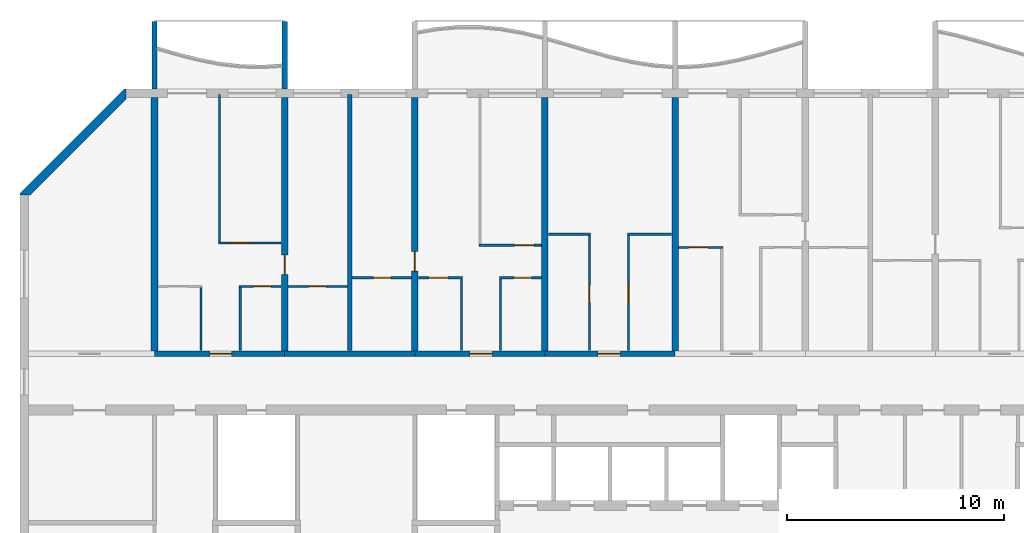
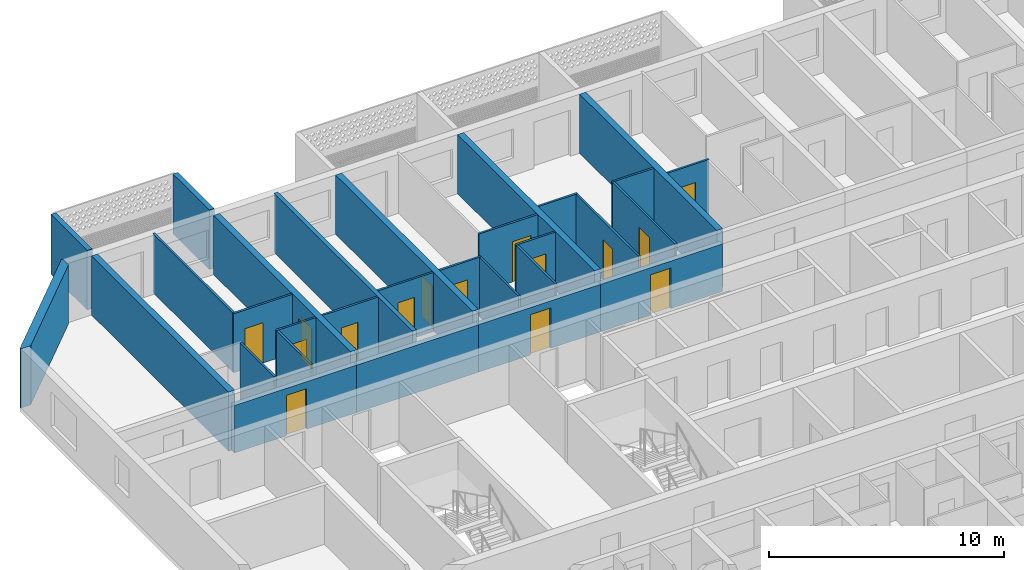
# One storey, part 9 of 33: 30 walls, 15 doors, 15 openings.
"""IFC4 building model written with IfcOpenShell, lengths in metres."""

from ifc_helpers import new_model, si_unit, direction, frame, frame_2d, origin, place, context, subcontext, project, spatial, polyline, rectangle, outline, extrude, source, transform, mapped, material, layer, layer_set, type_object, element, fill, save


model = new_model("IFC4")

# Units and contexts
model_context = context("Model", 3, precision=1e-05, world=origin(), true_north=direction((0.0, 1.0)))
body_context = subcontext(model_context, "Body", "Model", "MODEL_VIEW")
ifc_project = project(units=[si_unit("LENGTHUNIT", "METRE"), si_unit("AREAUNIT", "SQUARE_METRE"), si_unit("VOLUMEUNIT", "CUBIC_METRE"), si_unit("PLANEANGLEUNIT", "RADIAN"), si_unit("MASSUNIT", "GRAM", prefix="KILO")], contexts=[model_context])

# Site, building, storey
site_placement = place(None, origin())
site = spatial("IfcSite", under=ifc_project, at=site_placement, CompositionType="ELEMENT")
building_placement = place(site_placement, origin())
building = spatial("IfcBuilding", under=site, at=building_placement, Name="Poui Terraces", CompositionType="ELEMENT")
storey_placement = place(building_placement, frame((0.0, 0.0, 132.300048828125)))
storey = spatial("IfcBuildingStorey", under=building, at=storey_placement, Name="L36", CompositionType="ELEMENT", Elevation=132.300048828125)

# Wall, opening, door
ifc_material_1 = material(Name="Concrete 65 MPa", Category="concrete")
ifc_layer_1 = layer(ifc_material_1, 0.25)
ifc_layer_set_1 = layer_set([ifc_layer_1], Name="Concrete 65 MPa")
wall_type_1 = type_object("IfcWallType", Name="CORRIDOR WALL 250 65MPa", PredefinedType="SHEAR", material=ifc_layer_set_1)
wall_1_placement = place(storey_placement, frame((18.0, 30.39990234375, 0.0), z_axis=(0.0, 0.0, 1.0), x_axis=(1.0, 0.0, 0.0)))
wall_1 = element("IfcWall", 1, at=wall_1_placement, inside=storey, type_object=wall_type_1, Name="CORRIDOR WALL LINE E BAY 2", PredefinedType="SHEAR", context=body_context, shape_type="SweptSolid", body=[
    extrude(rectangle(XDim=6.0, YDim=0.25, at=frame_2d((3.0, 0.0))), origin(), (0.0, 0.0, 1.0), 2.469970703125),
])
opening_1_placement = place(wall_1_placement, frame((2.550048828125, 0.0, 0.0)))
opening_1 = element("IfcOpeningElement", 2, at=opening_1_placement, cuts=wall_1, Name="Opening FD30S", PredefinedType="OPENING", context=body_context, shape_type="SweptSolid", body=[
    extrude(rectangle(XDim=1.0, YDim=2.10009765625, at=frame_2d((0.5, 1.050048828125))), frame((0.0, 0.135009765625, 0.0), z_axis=(0.0, -1.0, 0.0), x_axis=(1.0, 0.0, 0.0)), (0.0, 0.0, 1.0), 0.27001953125),
])
ifc_material_2 = material(Name="Steel fire door", Category="steel")
door_type_1 = type_object("IfcDoorType", Name="FLAT ENTRANCE DOOR 1000 X 2100", OperationType="NOTDEFINED", PredefinedType="DOOR", material=ifc_material_2)
door_1_placement = place(opening_1_placement, origin())
door_1 = element("IfcDoor", 3, at=door_1_placement, inside=storey, type_object=door_type_1, Name="FLAT ENTRANCE DOOR 034", OperationType="SINGLE_SWING_RIGHT", OverallHeight=2.10009765625, OverallWidth=1.0, PredefinedType="DOOR", context=body_context, shape_type="SweptSolid", body=[
    extrude(rectangle(XDim=1.0, YDim=2.10009765625, at=frame_2d((0.5, 1.050048828125))), frame((0.0, 0.02490234375, 0.0), z_axis=(0.0, -1.0, 0.0), x_axis=(1.0, 0.0, 0.0)), (0.0, 0.0, 1.0), 0.050048828125),
])
fill(opening_1, door_1)

# Wall
wall_2_placement = place(storey_placement, frame((24.0, 30.39990234375, 0.0), z_axis=(0.0, 0.0, 1.0), x_axis=(1.0, 0.0, 0.0)))
element("IfcWall", 4, at=wall_2_placement, inside=storey, type_object=wall_type_1, Name="CORRIDOR WALL LINE E BAY 3", PredefinedType="SHEAR", context=body_context, shape_type="SweptSolid", body=[
    extrude(rectangle(XDim=6.0, YDim=0.25, at=frame_2d((3.0, 0.0))), origin(), (0.0, 0.0, 1.0), 2.469970703125),
])

# Wall, opening, door
wall_3_placement = place(storey_placement, frame((30.0, 30.39990234375, 0.0), z_axis=(0.0, 0.0, 1.0), x_axis=(1.0, 0.0, 0.0)))
wall_3 = element("IfcWall", 5, at=wall_3_placement, inside=storey, type_object=wall_type_1, Name="CORRIDOR WALL LINE E BAY 4", PredefinedType="SHEAR", context=body_context, shape_type="SweptSolid", body=[
    extrude(rectangle(XDim=6.0, YDim=0.25, at=frame_2d((3.0, 0.0))), origin(), (0.0, 0.0, 1.0), 2.469970703125),
])
opening_2_placement = place(wall_3_placement, frame((2.550048828125, 0.0, 0.0)))
opening_2 = element("IfcOpeningElement", 6, at=opening_2_placement, cuts=wall_3, Name="Opening FD30S", PredefinedType="OPENING", context=body_context, shape_type="SweptSolid", body=[
    extrude(rectangle(XDim=1.0, YDim=2.10009765625, at=frame_2d((0.5, 1.050048828125))), frame((0.0, 0.135009765625, 0.0), z_axis=(0.0, -1.0, 0.0), x_axis=(1.0, 0.0, 0.0)), (0.0, 0.0, 1.0), 0.27001953125),
])
door_2_placement = place(opening_2_placement, origin())
door_2 = element("IfcDoor", 7, at=door_2_placement, inside=storey, type_object=door_type_1, Name="FLAT ENTRANCE DOOR 041", OperationType="SINGLE_SWING_RIGHT", OverallHeight=2.10009765625, OverallWidth=1.0, PredefinedType="DOOR", context=body_context, shape_type="SweptSolid", body=[
    extrude(rectangle(XDim=1.0, YDim=2.10009765625, at=frame_2d((0.5, 1.050048828125))), frame((0.0, 0.02490234375, 0.0), z_axis=(0.0, -1.0, 0.0), x_axis=(1.0, 0.0, 0.0)), (0.0, 0.0, 1.0), 0.050048828125),
])
fill(opening_2, door_2)

wall_4_placement = place(storey_placement, frame((36.0, 30.39990234375, 0.0), z_axis=(0.0, 0.0, 1.0), x_axis=(1.0, 0.0, 0.0)))
wall_4 = element("IfcWall", 8, at=wall_4_placement, inside=storey, type_object=wall_type_1, Name="CORRIDOR WALL LINE E BAY 5", PredefinedType="SHEAR", context=body_context, shape_type="SweptSolid", body=[
    extrude(rectangle(XDim=6.0, YDim=0.25, at=frame_2d((3.0, 0.0))), origin(), (0.0, 0.0, 1.0), 2.469970703125),
])
opening_3_placement = place(wall_4_placement, frame((2.449951171875, 0.0, 0.0)))
opening_3 = element("IfcOpeningElement", 9, at=opening_3_placement, cuts=wall_4, Name="Opening FD30S", PredefinedType="OPENING", context=body_context, shape_type="SweptSolid", body=[
    extrude(rectangle(XDim=1.0, YDim=2.10009765625, at=frame_2d((0.5, 1.050048828125))), frame((0.0, 0.135009765625, 0.0), z_axis=(0.0, -1.0, 0.0), x_axis=(1.0, 0.0, 0.0)), (0.0, 0.0, 1.0), 0.27001953125),
])
door_3_placement = place(opening_3_placement, origin())
door_3 = element("IfcDoor", 10, at=door_3_placement, inside=storey, type_object=door_type_1, Name="FLAT ENTRANCE DOOR 045", OperationType="SINGLE_SWING_LEFT", OverallHeight=2.10009765625, OverallWidth=1.0, PredefinedType="DOOR", context=body_context, shape_type="SweptSolid", body=[
    extrude(rectangle(XDim=1.0, YDim=2.10009765625, at=frame_2d((0.5, 1.050048828125))), frame((0.0, 0.02490234375, 0.0), z_axis=(0.0, -1.0, 0.0), x_axis=(1.0, 0.0, 0.0)), (0.0, 0.0, 1.0), 0.050048828125),
])
fill(opening_3, door_3)

# Wall
ifc_layer_2 = layer(ifc_material_1, 0.300048828125)
ifc_layer_set_2 = layer_set([ifc_layer_2], Name="Concrete 65 MPa")
wall_type_2 = type_object("IfcWallType", Name="CROSS WALL 300 65MPa", PredefinedType="SHEAR", material=ifc_layer_set_2)
wall_5_placement = place(storey_placement, frame((18.0, 30.52490234375, 0.0), z_axis=(0.0, 0.0, 1.0), x_axis=(0.0, 1.0, 0.0)))
element("IfcWall", 11, at=wall_5_placement, inside=storey, type_object=wall_type_2, Name="CROSS WALL LINE 4 NORTH", PredefinedType="SHEAR", context=body_context, shape_type="SweptSolid", body=[
    extrude(rectangle(XDim=11.675048828125, YDim=0.300048828125, at=frame_2d((5.83740234375, 0.0))), origin(), (0.0, 0.0, 1.0), 3.070068359375),
])

# Wall, opening, door
wall_6_placement = place(storey_placement, frame((24.0, 30.52490234375, 0.0), z_axis=(0.0, 0.0, 1.0), x_axis=(0.0, 1.0, 0.0)))
wall_6 = element("IfcWall", 12, at=wall_6_placement, inside=storey, type_object=wall_type_2, Name="CROSS WALL LINE 5 NORTH", PredefinedType="SHEAR", context=body_context, shape_type="SweptSolid", body=[
    extrude(rectangle(XDim=11.675048828125, YDim=0.300048828125, at=frame_2d((5.83740234375, 0.0))), origin(), (0.0, 0.0, 1.0), 3.070068359375),
])
opening_4_placement = place(wall_6_placement, frame((3.52490234375, 0.0, 0.0)))
opening_4 = element("IfcOpeningElement", 13, at=opening_4_placement, cuts=wall_6, Name="Opening D90", PredefinedType="OPENING", context=body_context, shape_type="SweptSolid", body=[
    extrude(rectangle(XDim=0.89990234375, YDim=2.10009765625, at=frame_2d((0.449951171875, 1.050048828125))), frame((0.0, 0.16015625, 0.0), z_axis=(0.0, -1.0, 0.0), x_axis=(1.0, 0.0, 0.0)), (0.0, 0.0, 1.0), 0.320068359375),
])
ifc_material_3 = material(Name="Solid core timber door", Category="wood")
door_type_2 = type_object("IfcDoorType", Name="INTERNAL DOOR 900 X 2100", OperationType="NOTDEFINED", PredefinedType="DOOR", material=ifc_material_3)
door_4_placement = place(opening_4_placement, frame((0.89990234375, 0.0, 0.0), z_axis=(0.0, 0.0, 1.0), x_axis=(-1.0, 0.0, 0.0)))
door_4 = element("IfcDoor", 14, at=door_4_placement, inside=storey, type_object=door_type_2, Name="INTERNAL DOOR 037", OperationType="SINGLE_SWING_RIGHT", OverallHeight=2.10009765625, OverallWidth=0.89990234375, PredefinedType="DOOR", context=body_context, shape_type="SweptSolid", body=[
    extrude(rectangle(XDim=0.89990234375, YDim=2.10009765625, at=frame_2d((0.449951171875, 1.050048828125))), frame((0.0, 0.02490234375, 0.0), z_axis=(0.0, -1.0, 0.0), x_axis=(1.0, 0.0, 0.0)), (0.0, 0.0, 1.0), 0.050048828125),
])
fill(opening_4, door_4)

wall_7_placement = place(storey_placement, frame((30.0, 30.52490234375, 0.0), z_axis=(0.0, 0.0, 1.0), x_axis=(0.0, 1.0, 0.0)))
wall_7 = element("IfcWall", 15, at=wall_7_placement, inside=storey, type_object=wall_type_2, Name="CROSS WALL LINE 6 NORTH", PredefinedType="SHEAR", context=body_context, shape_type="SweptSolid", body=[
    extrude(rectangle(XDim=11.675048828125, YDim=0.300048828125, at=frame_2d((5.83740234375, 0.0))), origin(), (0.0, 0.0, 1.0), 3.070068359375),
])
opening_5_placement = place(wall_7_placement, frame((3.675048828125, 0.0, 0.0)))
opening_5 = element("IfcOpeningElement", 16, at=opening_5_placement, cuts=wall_7, Name="Opening D90", PredefinedType="OPENING", context=body_context, shape_type="SweptSolid", body=[
    extrude(rectangle(XDim=0.89990234375, YDim=2.10009765625, at=frame_2d((0.449951171875, 1.050048828125))), frame((0.0, 0.16015625, 0.0), z_axis=(0.0, -1.0, 0.0), x_axis=(1.0, 0.0, 0.0)), (0.0, 0.0, 1.0), 0.320068359375),
])
door_5_placement = place(opening_5_placement, origin())
door_5 = element("IfcDoor", 17, at=door_5_placement, inside=storey, type_object=door_type_2, Name="INTERNAL DOOR 039", OperationType="SINGLE_SWING_LEFT", OverallHeight=2.10009765625, OverallWidth=0.89990234375, PredefinedType="DOOR", context=body_context, shape_type="SweptSolid", body=[
    extrude(rectangle(XDim=0.89990234375, YDim=2.10009765625, at=frame_2d((0.449951171875, 1.050048828125))), frame((0.0, 0.02490234375, 0.0), z_axis=(0.0, -1.0, 0.0), x_axis=(1.0, 0.0, 0.0)), (0.0, 0.0, 1.0), 0.050048828125),
])
fill(opening_5, door_5)

# Walls
for number, where, z_axis, x_axis, name in (
    (18, (36.0, 30.52490234375, 0.0), (0.0, 0.0, 1.0), (0.0, 1.0, 0.0), "CROSS WALL LINE 7 NORTH"),
    (19, (42.0, 30.52490234375, 0.0), (0.0, 0.0, 1.0), (0.0, 1.0, 0.0), "CROSS WALL LINE 8 NORTH"),
):
    element("IfcWall", number, at=place(storey_placement, frame(where, z_axis=z_axis, x_axis=x_axis)), inside=storey, type_object=wall_type_2, Name=name, PredefinedType="SHEAR", context=body_context, shape_type="SweptSolid", body=[
        extrude(rectangle(XDim=11.675048828125, YDim=0.300048828125, at=frame_2d((5.83740234375, 0.0))), origin(), (0.0, 0.0, 1.0), 3.070068359375),
    ])

# Wall, opening, door
ifc_material_4 = material(Name="Plasterboard partition")
ifc_layer_3 = layer(ifc_material_4, 0.10009765625)
ifc_layer_set_3 = layer_set([ifc_layer_3], Name="Plasterboard partition")
wall_type_3 = type_object("IfcWallType", Name="FLAT PARTITION 100", PredefinedType="PARTITIONING", material=ifc_layer_set_3)
wall_8_placement = place(storey_placement, frame((21.89990234375, 33.5, 0.0), z_axis=(0.0, 0.0, 1.0), x_axis=(1.0, 0.0, 0.0)))
wall_8 = element("IfcWall", 20, at=wall_8_placement, inside=storey, type_object=wall_type_3, Name="FLAT PARTITION 100", PredefinedType="PARTITIONING", context=body_context, shape_type="SweptSolid", body=[
    extrude(rectangle(XDim=1.940185546875, YDim=0.10009765625, at=frame_2d((0.97021484375, 0.0))), origin(), (0.0, 0.0, 1.0), 3.070068359375),
])
opening_6_placement = place(wall_8_placement, frame((0.675048828125, 0.0, 0.0)))
opening_6 = element("IfcOpeningElement", 21, at=opening_6_placement, cuts=wall_8, Name="Opening D80", PredefinedType="OPENING", context=body_context, shape_type="SweptSolid", body=[
    extrude(rectangle(XDim=0.800048828125, YDim=2.10009765625, at=frame_2d((0.39990234375, 1.050048828125))), frame((0.0, 0.06005859375, 0.0), z_axis=(0.0, -1.0, 0.0), x_axis=(1.0, 0.0, 0.0)), (0.0, 0.0, 1.0), 0.1201171875),
])
door_type_3 = type_object("IfcDoorType", Name="BATHROOM, LAUNDRY AND STORE DOOR 800 X 2100", OperationType="NOTDEFINED", PredefinedType="DOOR", material=ifc_material_3)
door_6_placement = place(opening_6_placement, frame((0.800048828125, 0.0, 0.0), z_axis=(0.0, 0.0, 1.0), x_axis=(-1.0, 0.0, 0.0)))
door_6 = element("IfcDoor", 22, at=door_6_placement, inside=storey, type_object=door_type_3, Name="BATHROOM, LAUNDRY AND STORE DOOR 036", OperationType="SINGLE_SWING_RIGHT", OverallHeight=2.10009765625, OverallWidth=0.800048828125, PredefinedType="DOOR", context=body_context, shape_type="SweptSolid", body=[
    extrude(rectangle(XDim=0.800048828125, YDim=2.10009765625, at=frame_2d((0.39990234375, 1.050048828125))), frame((0.0, 0.02490234375, 0.0), z_axis=(0.0, -1.0, 0.0), x_axis=(1.0, 0.0, 0.0)), (0.0, 0.0, 1.0), 0.050048828125),
])
fill(opening_6, door_6)

wall_9_placement = place(storey_placement, frame((24.159912109375, 33.5, 0.0), z_axis=(0.0, 0.0, 1.0), x_axis=(1.0, 0.0, 0.0)))
wall_9 = element("IfcWall", 23, at=wall_9_placement, inside=storey, type_object=wall_type_3, Name="FLAT PARTITION 100", PredefinedType="PARTITIONING", context=body_context, shape_type="SweptSolid", body=[
    extrude(rectangle(XDim=2.739990234375, YDim=0.10009765625, at=frame_2d((1.3701171875, 0.0))), origin(), (0.0, 0.0, 1.0), 3.070068359375),
])
opening_7_placement = place(wall_9_placement, frame((0.93994140625, 0.0, 0.0)))
opening_7 = element("IfcOpeningElement", 24, at=opening_7_placement, cuts=wall_9, Name="Opening D80", PredefinedType="OPENING", context=body_context, shape_type="SweptSolid", body=[
    extrude(rectangle(XDim=0.800048828125, YDim=2.10009765625, at=frame_2d((0.39990234375, 1.050048828125))), frame((0.0, 0.06005859375, 0.0), z_axis=(0.0, -1.0, 0.0), x_axis=(1.0, 0.0, 0.0)), (0.0, 0.0, 1.0), 0.1201171875),
])
door_7_placement = place(opening_7_placement, frame((0.800048828125, 0.0, 0.0), z_axis=(0.0, 0.0, 1.0), x_axis=(-1.0, 0.0, 0.0)))
door_7 = element("IfcDoor", 25, at=door_7_placement, inside=storey, type_object=door_type_3, Name="BATHROOM, LAUNDRY AND STORE DOOR 032", OperationType="SINGLE_SWING_LEFT", OverallHeight=2.10009765625, OverallWidth=0.800048828125, PredefinedType="DOOR", context=body_context, shape_type="SweptSolid", body=[
    extrude(rectangle(XDim=0.800048828125, YDim=2.10009765625, at=frame_2d((0.39990234375, 1.050048828125))), frame((0.0, 0.02490234375, 0.0), z_axis=(0.0, -1.0, 0.0), x_axis=(1.0, 0.0, 0.0)), (0.0, 0.0, 1.0), 0.050048828125),
])
fill(opening_7, door_7)

wall_10_placement = place(storey_placement, frame((27.10009765625, 33.89990234375, 0.0), z_axis=(0.0, 0.0, 1.0), x_axis=(1.0, 0.0, 0.0)))
wall_10 = element("IfcWall", 26, at=wall_10_placement, inside=storey, type_object=wall_type_3, Name="FLAT PARTITION 100", PredefinedType="PARTITIONING", context=body_context, shape_type="SweptSolid", body=[
    extrude(rectangle(XDim=2.739990234375, YDim=0.10009765625, at=frame_2d((1.3701171875, 0.0))), origin(), (0.0, 0.0, 1.0), 3.070068359375),
])
opening_8_placement = place(wall_10_placement, frame((1.0, 0.0, 0.0)))
opening_8 = element("IfcOpeningElement", 27, at=opening_8_placement, cuts=wall_10, Name="Opening D80", PredefinedType="OPENING", context=body_context, shape_type="SweptSolid", body=[
    extrude(rectangle(XDim=0.800048828125, YDim=2.10009765625, at=frame_2d((0.39990234375, 1.050048828125))), frame((0.0, 0.06005859375, 0.0), z_axis=(0.0, -1.0, 0.0), x_axis=(1.0, 0.0, 0.0)), (0.0, 0.0, 1.0), 0.1201171875),
])
door_8_placement = place(opening_8_placement, frame((0.800048828125, 0.0, 0.0), z_axis=(0.0, 0.0, 1.0), x_axis=(-1.0, 0.0, 0.0)))
door_8 = element("IfcDoor", 28, at=door_8_placement, inside=storey, type_object=door_type_3, Name="BATHROOM, LAUNDRY AND STORE DOOR 038", OperationType="SINGLE_SWING_RIGHT", OverallHeight=2.10009765625, OverallWidth=0.800048828125, PredefinedType="DOOR", context=body_context, shape_type="SweptSolid", body=[
    extrude(rectangle(XDim=0.800048828125, YDim=2.10009765625, at=frame_2d((0.39990234375, 1.050048828125))), frame((0.0, 0.02490234375, 0.0), z_axis=(0.0, -1.0, 0.0), x_axis=(1.0, 0.0, 0.0)), (0.0, 0.0, 1.0), 0.050048828125),
])
fill(opening_8, door_8)

wall_11_placement = place(storey_placement, frame((30.159912109375, 33.89990234375, 0.0), z_axis=(0.0, 0.0, 1.0), x_axis=(1.0, 0.0, 0.0)))
wall_11 = element("IfcWall", 29, at=wall_11_placement, inside=storey, type_object=wall_type_3, Name="FLAT PARTITION 100", PredefinedType="PARTITIONING", context=body_context, shape_type="SweptSolid", body=[
    extrude(rectangle(XDim=2.0400390625, YDim=0.10009765625, at=frame_2d((1.02001953125, 0.0))), origin(), (0.0, 0.0, 1.0), 3.070068359375),
])
opening_9_placement = place(wall_11_placement, frame((0.465087890625, 0.0, 0.0)))
opening_9 = element("IfcOpeningElement", 30, at=opening_9_placement, cuts=wall_11, Name="Opening D90", PredefinedType="OPENING", context=body_context, shape_type="SweptSolid", body=[
    extrude(rectangle(XDim=0.89990234375, YDim=2.10009765625, at=frame_2d((0.449951171875, 1.050048828125))), frame((0.0, 0.06005859375, 0.0), z_axis=(0.0, -1.0, 0.0), x_axis=(1.0, 0.0, 0.0)), (0.0, 0.0, 1.0), 0.1201171875),
])
door_9_placement = place(opening_9_placement, frame((0.89990234375, 0.0, 0.0), z_axis=(0.0, 0.0, 1.0), x_axis=(-1.0, 0.0, 0.0)))
door_9 = element("IfcDoor", 31, at=door_9_placement, inside=storey, type_object=door_type_2, Name="INTERNAL DOOR 040", OperationType="SINGLE_SWING_RIGHT", OverallHeight=2.10009765625, OverallWidth=0.89990234375, PredefinedType="DOOR", context=body_context, shape_type="SweptSolid", body=[
    extrude(rectangle(XDim=0.89990234375, YDim=2.10009765625, at=frame_2d((0.449951171875, 1.050048828125))), frame((0.0, 0.02490234375, 0.0), z_axis=(0.0, -1.0, 0.0), x_axis=(1.0, 0.0, 0.0)), (0.0, 0.0, 1.0), 0.050048828125),
])
fill(opening_9, door_9)

wall_12_placement = place(storey_placement, frame((33.89990234375, 33.89990234375, 0.0), z_axis=(0.0, 0.0, 1.0), x_axis=(1.0, 0.0, 0.0)))
wall_12 = element("IfcWall", 32, at=wall_12_placement, inside=storey, type_object=wall_type_3, Name="FLAT PARTITION 100", PredefinedType="PARTITIONING", context=body_context, shape_type="SweptSolid", body=[
    extrude(rectangle(XDim=1.940185546875, YDim=0.10009765625, at=frame_2d((0.97021484375, 0.0))), origin(), (0.0, 0.0, 1.0), 3.070068359375),
])
opening_10_placement = place(wall_12_placement, frame((0.675048828125, 0.0, 0.0)))
opening_10 = element("IfcOpeningElement", 33, at=opening_10_placement, cuts=wall_12, Name="Opening D80", PredefinedType="OPENING", context=body_context, shape_type="SweptSolid", body=[
    extrude(rectangle(XDim=0.800048828125, YDim=2.10009765625, at=frame_2d((0.39990234375, 1.050048828125))), frame((0.0, 0.06005859375, 0.0), z_axis=(0.0, -1.0, 0.0), x_axis=(1.0, 0.0, 0.0)), (0.0, 0.0, 1.0), 0.1201171875),
])
door_10_placement = place(opening_10_placement, frame((0.800048828125, 0.0, 0.0), z_axis=(0.0, 0.0, 1.0), x_axis=(-1.0, 0.0, 0.0)))
door_10 = element("IfcDoor", 34, at=door_10_placement, inside=storey, type_object=door_type_3, Name="BATHROOM, LAUNDRY AND STORE DOOR 042", OperationType="SINGLE_SWING_LEFT", OverallHeight=2.10009765625, OverallWidth=0.800048828125, PredefinedType="DOOR", context=body_context, shape_type="SweptSolid", body=[
    extrude(rectangle(XDim=0.800048828125, YDim=2.10009765625, at=frame_2d((0.39990234375, 1.050048828125))), frame((0.0, 0.02490234375, 0.0), z_axis=(0.0, -1.0, 0.0), x_axis=(1.0, 0.0, 0.0)), (0.0, 0.0, 1.0), 0.050048828125),
])
fill(opening_10, door_10)

wall_13_placement = place(storey_placement, frame((42.159912109375, 35.300048828125, 0.0), z_axis=(0.0, 0.0, 1.0), x_axis=(1.0, 0.0, 0.0)))
wall_13 = element("IfcWall", 35, at=wall_13_placement, inside=storey, type_object=wall_type_3, Name="FLAT PARTITION 100", PredefinedType="PARTITIONING", context=body_context, shape_type="SweptSolid", body=[
    extrude(rectangle(XDim=2.0400390625, YDim=0.10009765625, at=frame_2d((1.02001953125, 0.0))), origin(), (0.0, 0.0, 1.0), 3.070068359375),
])
opening_11_placement = place(wall_13_placement, frame((0.465087890625, 0.0, 0.0)))
opening_11 = element("IfcOpeningElement", 36, at=opening_11_placement, cuts=wall_13, Name="Opening D90", PredefinedType="OPENING", context=body_context, shape_type="SweptSolid", body=[
    extrude(rectangle(XDim=0.89990234375, YDim=2.10009765625, at=frame_2d((0.449951171875, 1.050048828125))), frame((0.0, 0.06005859375, 0.0), z_axis=(0.0, -1.0, 0.0), x_axis=(1.0, 0.0, 0.0)), (0.0, 0.0, 1.0), 0.1201171875),
])
door_11_placement = place(opening_11_placement, frame((0.89990234375, 0.0, 0.0), z_axis=(0.0, 0.0, 1.0), x_axis=(-1.0, 0.0, 0.0)))
door_11 = element("IfcDoor", 37, at=door_11_placement, inside=storey, type_object=door_type_2, Name="INTERNAL DOOR 048", OperationType="SINGLE_SWING_RIGHT", OverallHeight=2.10009765625, OverallWidth=0.89990234375, PredefinedType="DOOR", context=body_context, shape_type="SweptSolid", body=[
    extrude(rectangle(XDim=0.89990234375, YDim=2.10009765625, at=frame_2d((0.449951171875, 1.050048828125))), frame((0.0, 0.02490234375, 0.0), z_axis=(0.0, -1.0, 0.0), x_axis=(1.0, 0.0, 0.0)), (0.0, 0.0, 1.0), 0.050048828125),
])
fill(opening_11, door_11)

wall_14_placement = place(storey_placement, frame((32.949951171875, 35.39990234375, 0.0), z_axis=(0.0, 0.0, 1.0), x_axis=(1.0, 0.0, 0.0)))
wall_14 = element("IfcWall", 38, at=wall_14_placement, inside=storey, type_object=wall_type_3, Name="FLAT PARTITION 100", PredefinedType="PARTITIONING", context=body_context, shape_type="SweptSolid", body=[
    extrude(rectangle(XDim=2.89013671875, YDim=0.10009765625, at=frame_2d((1.445068359375, 0.0))), origin(), (0.0, 0.0, 1.0), 3.070068359375),
])
opening_12_placement = place(wall_14_placement, frame((1.64990234375, 0.0, 0.0)))
opening_12 = element("IfcOpeningElement", 39, at=opening_12_placement, cuts=wall_14, Name="Opening D90", PredefinedType="OPENING", context=body_context, shape_type="SweptSolid", body=[
    extrude(rectangle(XDim=0.89990234375, YDim=2.10009765625, at=frame_2d((0.449951171875, 1.050048828125))), frame((0.0, 0.06005859375, 0.0), z_axis=(0.0, -1.0, 0.0), x_axis=(1.0, 0.0, 0.0)), (0.0, 0.0, 1.0), 0.1201171875),
])
door_12_placement = place(opening_12_placement, frame((0.89990234375, 0.0, 0.0), z_axis=(0.0, 0.0, 1.0), x_axis=(-1.0, 0.0, 0.0)))
door_12 = element("IfcDoor", 40, at=door_12_placement, inside=storey, type_object=door_type_2, Name="INTERNAL DOOR 043", OperationType="SINGLE_SWING_RIGHT", OverallHeight=2.10009765625, OverallWidth=0.89990234375, PredefinedType="DOOR", context=body_context, shape_type="SweptSolid", body=[
    extrude(rectangle(XDim=0.89990234375, YDim=2.10009765625, at=frame_2d((0.449951171875, 1.050048828125))), frame((0.0, 0.02490234375, 0.0), z_axis=(0.0, -1.0, 0.0), x_axis=(1.0, 0.0, 0.0)), (0.0, 0.0, 1.0), 0.050048828125),
])
fill(opening_12, door_12)

wall_15_placement = place(storey_placement, frame((20.949951171875, 35.5, 0.0), z_axis=(0.0, 0.0, 1.0), x_axis=(1.0, 0.0, 0.0)))
wall_15 = element("IfcWall", 41, at=wall_15_placement, inside=storey, type_object=wall_type_3, Name="FLAT PARTITION 100", PredefinedType="PARTITIONING", context=body_context, shape_type="SweptSolid", body=[
    extrude(rectangle(XDim=2.89013671875, YDim=0.10009765625, at=frame_2d((1.445068359375, 0.0))), origin(), (0.0, 0.0, 1.0), 3.070068359375),
])
opening_13_placement = place(wall_15_placement, frame((0.550048828125, 0.0, 0.0)))
opening_13 = element("IfcOpeningElement", 42, at=opening_13_placement, cuts=wall_15, Name="Opening D90", PredefinedType="OPENING", context=body_context, shape_type="SweptSolid", body=[
    extrude(rectangle(XDim=0.89990234375, YDim=2.10009765625, at=frame_2d((0.449951171875, 1.050048828125))), frame((0.0, 0.06005859375, 0.0), z_axis=(0.0, -1.0, 0.0), x_axis=(1.0, 0.0, 0.0)), (0.0, 0.0, 1.0), 0.1201171875),
])
door_13_placement = place(opening_13_placement, frame((0.89990234375, 0.0, 0.0), z_axis=(0.0, 0.0, 1.0), x_axis=(-1.0, 0.0, 0.0)))
door_13 = element("IfcDoor", 43, at=door_13_placement, inside=storey, type_object=door_type_2, Name="INTERNAL DOOR 035", OperationType="SINGLE_SWING_LEFT", OverallHeight=2.10009765625, OverallWidth=0.89990234375, PredefinedType="DOOR", context=body_context, shape_type="SweptSolid", body=[
    extrude(rectangle(XDim=0.89990234375, YDim=2.10009765625, at=frame_2d((0.449951171875, 1.050048828125))), frame((0.0, 0.02490234375, 0.0), z_axis=(0.0, -1.0, 0.0), x_axis=(1.0, 0.0, 0.0)), (0.0, 0.0, 1.0), 0.050048828125),
])
fill(opening_13, door_13)

# Walls
wall_16_placement = place(storey_placement, frame((36.159912109375, 35.89990234375, 0.0), z_axis=(0.0, 0.0, 1.0), x_axis=(1.0, 0.0, 0.0)))
element("IfcWall", 44, at=wall_16_placement, inside=storey, type_object=wall_type_3, Name="FLAT PARTITION 100", PredefinedType="PARTITIONING", context=body_context, shape_type="SweptSolid", body=[
    extrude(rectangle(XDim=1.940185546875, YDim=0.10009765625, at=frame_2d((0.97021484375, 0.0))), origin(), (0.0, 0.0, 1.0), 3.070068359375),
])
wall_17_placement = place(storey_placement, frame((39.800048828125, 35.89990234375, 0.0), z_axis=(0.0, 0.0, 1.0), x_axis=(1.0, 0.0, 0.0)))
element("IfcWall", 45, at=wall_17_placement, inside=storey, type_object=wall_type_3, Name="FLAT PARTITION 100", PredefinedType="PARTITIONING", context=body_context, shape_type="SweptSolid", body=[
    extrude(rectangle(XDim=2.0400390625, YDim=0.10009765625, at=frame_2d((1.02001953125, 0.0))), origin(), (0.0, 0.0, 1.0), 3.070068359375),
])
wall_18_placement = place(storey_placement, frame((20.14990234375, 30.534912109375, 0.0), z_axis=(0.0, 0.0, 1.0), x_axis=(0.0, 1.0, 0.0)))
element("IfcWall", 46, at=wall_18_placement, inside=storey, type_object=wall_type_3, Name="FLAT PARTITION 100", PredefinedType="PARTITIONING", context=body_context, shape_type="SweptSolid", body=[
    extrude(rectangle(XDim=2.9150390625, YDim=0.10009765625, at=frame_2d((1.45751953125, 0.0))), origin(), (0.0, 0.0, 1.0), 3.070068359375),
])
wall_19_placement = place(storey_placement, frame((21.0, 35.550048828125, 0.0), z_axis=(0.0, 0.0, 1.0), x_axis=(0.0, 1.0, 0.0)))
element("IfcWall", 47, at=wall_19_placement, inside=storey, type_object=wall_type_3, Name="FLAT PARTITION 100", PredefinedType="PARTITIONING", context=body_context, shape_type="SweptSolid", body=[
    extrude(rectangle(XDim=6.7900390625, YDim=0.10009765625, at=frame_2d((3.39501953125, 0.0))), origin(), (0.0, 0.0, 1.0), 3.070068359375),
])
wall_20_placement = place(storey_placement, frame((21.949951171875, 30.534912109375, 0.0), z_axis=(0.0, 0.0, 1.0), x_axis=(0.0, 1.0, 0.0)))
element("IfcWall", 48, at=wall_20_placement, inside=storey, type_object=wall_type_3, Name="FLAT PARTITION 100", PredefinedType="PARTITIONING", context=body_context, shape_type="SweptSolid", body=[
    extrude(rectangle(XDim=2.9150390625, YDim=0.10009765625, at=frame_2d((1.45751953125, 0.0))), origin(), (0.0, 0.0, 1.0), 3.070068359375),
])
for number, where, z_axis, x_axis, name in (
    (49, (32.14990234375, 30.534912109375, 0.0), (0.0, 0.0, 1.0), (0.0, 1.0, 0.0), "FLAT PARTITION 100"),
    (50, (33.949951171875, 30.534912109375, 0.0), (0.0, 0.0, 1.0), (0.0, 1.0, 0.0), "FLAT PARTITION 100"),
):
    element("IfcWall", number, at=place(storey_placement, frame(where, z_axis=z_axis, x_axis=x_axis)), inside=storey, type_object=wall_type_3, Name=name, PredefinedType="PARTITIONING", context=body_context, shape_type="SweptSolid", body=[
        extrude(rectangle(XDim=3.315185546875, YDim=0.10009765625, at=frame_2d((1.65771484375, 0.0))), origin(), (0.0, 0.0, 1.0), 3.070068359375),
    ])

# Wall, opening, door
wall_21_placement = place(storey_placement, frame((38.050048828125, 30.534912109375, 0.0), z_axis=(0.0, 0.0, 1.0), x_axis=(0.0, 1.0, 0.0)))
wall_21 = element("IfcWall", 51, at=wall_21_placement, inside=storey, type_object=wall_type_3, Name="FLAT PARTITION 100", PredefinedType="PARTITIONING", context=body_context, shape_type="SweptSolid", body=[
    extrude(rectangle(XDim=5.315185546875, YDim=0.10009765625, at=frame_2d((2.65771484375, 0.0))), origin(), (0.0, 0.0, 1.0), 3.070068359375),
])
opening_14_placement = place(wall_21_placement, frame((2.215087890625, 0.0, 0.0)))
opening_14 = element("IfcOpeningElement", 52, at=opening_14_placement, cuts=wall_21, Name="Opening D80", PredefinedType="OPENING", context=body_context, shape_type="SweptSolid", body=[
    extrude(rectangle(XDim=0.800048828125, YDim=2.10009765625, at=frame_2d((0.39990234375, 1.050048828125))), frame((0.0, 0.06005859375, 0.0), z_axis=(0.0, -1.0, 0.0), x_axis=(1.0, 0.0, 0.0)), (0.0, 0.0, 1.0), 0.1201171875),
])
door_14_placement = place(opening_14_placement, origin())
door_14 = element("IfcDoor", 53, at=door_14_placement, inside=storey, type_object=door_type_3, Name="BATHROOM, LAUNDRY AND STORE DOOR 044", OperationType="SINGLE_SWING_LEFT", OverallHeight=2.10009765625, OverallWidth=0.800048828125, PredefinedType="DOOR", context=body_context, shape_type="SweptSolid", body=[
    extrude(rectangle(XDim=0.800048828125, YDim=2.10009765625, at=frame_2d((0.39990234375, 1.050048828125))), frame((0.0, 0.02490234375, 0.0), z_axis=(0.0, -1.0, 0.0), x_axis=(1.0, 0.0, 0.0)), (0.0, 0.0, 1.0), 0.050048828125),
])
fill(opening_14, door_14)

wall_22_placement = place(storey_placement, frame((39.85009765625, 30.534912109375, 0.0), z_axis=(0.0, 0.0, 1.0), x_axis=(0.0, 1.0, 0.0)))
wall_22 = element("IfcWall", 54, at=wall_22_placement, inside=storey, type_object=wall_type_3, Name="FLAT PARTITION 100", PredefinedType="PARTITIONING", context=body_context, shape_type="SweptSolid", body=[
    extrude(rectangle(XDim=5.315185546875, YDim=0.10009765625, at=frame_2d((2.65771484375, 0.0))), origin(), (0.0, 0.0, 1.0), 3.070068359375),
])
opening_15_placement = place(wall_22_placement, frame((2.1650390625, 0.0, 0.0)))
opening_15 = element("IfcOpeningElement", 55, at=opening_15_placement, cuts=wall_22, Name="Opening D90", PredefinedType="OPENING", context=body_context, shape_type="SweptSolid", body=[
    extrude(rectangle(XDim=0.89990234375, YDim=2.10009765625, at=frame_2d((0.449951171875, 1.050048828125))), frame((0.0, 0.06005859375, 0.0), z_axis=(0.0, -1.0, 0.0), x_axis=(1.0, 0.0, 0.0)), (0.0, 0.0, 1.0), 0.1201171875),
])
door_15_placement = place(opening_15_placement, frame((0.89990234375, 0.0, 0.0), z_axis=(0.0, 0.0, 1.0), x_axis=(-1.0, 0.0, 0.0)))
door_15 = element("IfcDoor", 56, at=door_15_placement, inside=storey, type_object=door_type_2, Name="INTERNAL DOOR 046", OperationType="SINGLE_SWING_LEFT", OverallHeight=2.10009765625, OverallWidth=0.89990234375, PredefinedType="DOOR", context=body_context, shape_type="SweptSolid", body=[
    extrude(rectangle(XDim=0.89990234375, YDim=2.10009765625, at=frame_2d((0.449951171875, 1.050048828125))), frame((0.0, 0.02490234375, 0.0), z_axis=(0.0, -1.0, 0.0), x_axis=(1.0, 0.0, 0.0)), (0.0, 0.0, 1.0), 0.050048828125),
])
fill(opening_15, door_15)

# Walls
ifc_material_5 = material(Name="Fire-rated masonry wall", Category="masonry")
ifc_layer_4 = layer(ifc_material_5, 0.199951171875)
ifc_layer_set_4 = layer_set([ifc_layer_4], Name="Fire-rated masonry wall")
wall_type_4 = type_object("IfcWallType", Name="FLAT PARTY WALL 200", PredefinedType="PARTITIONING", material=ifc_layer_set_4)
wall_23_placement = place(storey_placement, frame((27.0, 30.534912109375, 0.0), z_axis=(0.0, 0.0, 1.0), x_axis=(0.0, 1.0, 0.0)))
element("IfcWall", 57, at=wall_23_placement, inside=storey, type_object=wall_type_4, Name="FLAT PARTY WALL 200", PredefinedType="PARTITIONING", context=body_context, shape_type="SweptSolid", body=[
    extrude(rectangle(XDim=11.80517578125, YDim=0.199951171875, at=frame_2d((5.902587890625, 0.0))), origin(), (0.0, 0.0, 1.0), 3.070068359375),
])
ifc_material_6 = material(Name="Precast concrete 40 MPa", Category="concrete")
ifc_layer_5 = layer(ifc_material_6, 0.39990234375)
ifc_layer_set_5 = layer_set([ifc_layer_5], Name="Precast concrete 40 MPa")
wall_type_5 = type_object("IfcWallType", Name="TERRACOTTA CLAD CHAMFER WALL 400", PredefinedType="STANDARD", material=ifc_layer_set_5)
wall_24_placement = place(storey_placement, origin())
element("IfcWall", 58, at=wall_24_placement, inside=storey, type_object=wall_type_5, Name="CHAMFER WALL CH05", PredefinedType="STANDARD", context=body_context, shape_type="SweptSolid", body=[
    extrude(outline(polyline([(16.682861328125, 42.60009765625), (16.60009765625, 42.60009765625), (11.800048828125, 37.800048828125), (11.800048828125, 37.71728515625), (12.28271484375, 37.71728515625), (16.682861328125, 42.1171875), (16.682861328125, 42.60009765625)])), origin(), (0.0, 0.0, 1.0), 3.070068359375),
])
ifc_layer_6 = layer(ifc_material_6, 0.25)
ifc_layer_set_6 = layer_set([ifc_layer_6], Name="Precast concrete 40 MPa")
wall_type_6 = type_object("IfcWallType", Name="BALCONY FIN 250", PredefinedType="STANDARD", material=ifc_layer_set_6)
shared_shape = source(origin(), body_context, "Body", "SweptSolid", [
    extrude(outline(polyline([(0.0, 0.0), (0.25, 0.0), (0.25, 3.099853515625), (0.0, 3.099853515625), (0.0, 0.0)])), origin(), (0.0, 0.0, 1.0), 3.099853515625),
])
for number, where, name in (
    (59, (17.875, 42.60009765625, 0.0), "BALCONY FIN"),
    (60, (23.875, 42.60009765625, 0.0), "BALCONY FIN"),
):
    element("IfcWall", number, at=place(storey_placement, frame(where)), inside=storey, type_object=wall_type_6, Name=name, PredefinedType="STANDARD", context=body_context, shape_type="MappedRepresentation", body=[
        mapped(shared_shape, transform((0.0, 0.0, 0.0))),
    ])

save(model, "model.ifc")
